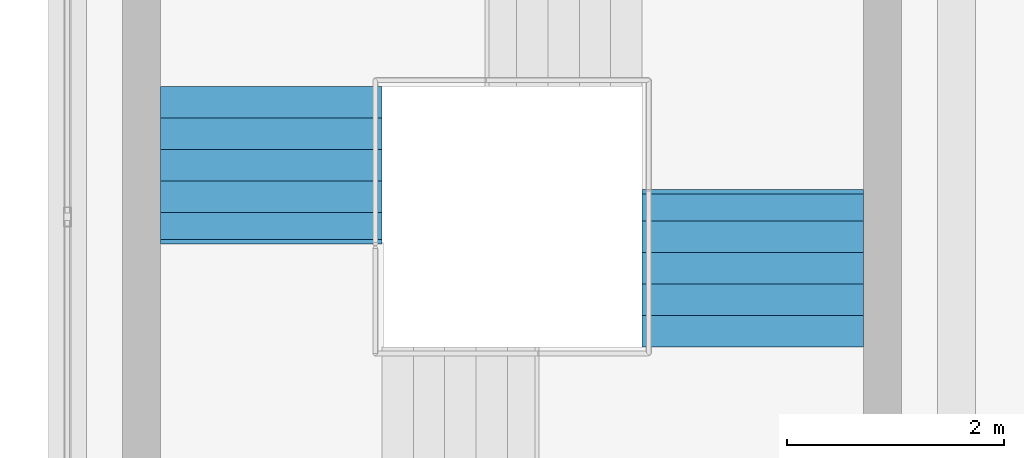
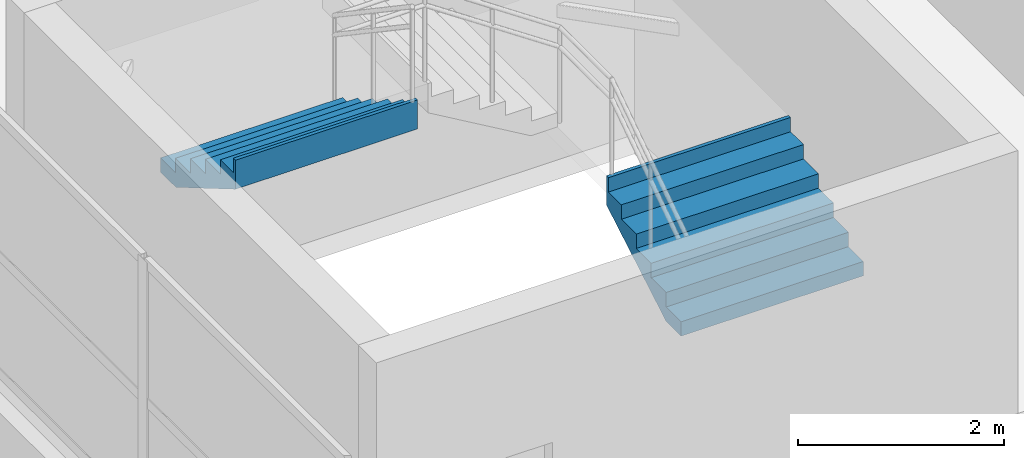
# One storey, part 66 of 70: 2 stair flights, 1 element without a shape of its own.
"""IFC4 building model written with IfcOpenShell, lengths in metres."""

from ifc_helpers import new_model, si_unit, direction, frame, origin, place, context, subcontext, project, spatial, triangles, material, type_object, element, aggregate, save


model = new_model("IFC4")

# Units and contexts
model_context = context("Model", 3, precision=1e-05, world=origin(), true_north=direction((0.0, 1.0)))
body_context = subcontext(model_context, "Body", "Model", "MODEL_VIEW")
ifc_project = project(units=[si_unit("LENGTHUNIT", "METRE"), si_unit("AREAUNIT", "SQUARE_METRE"), si_unit("VOLUMEUNIT", "CUBIC_METRE"), si_unit("PLANEANGLEUNIT", "RADIAN"), si_unit("MASSUNIT", "GRAM", prefix="KILO")], contexts=[model_context])

# Site, building, storey
site_placement = place(None, origin())
site = spatial("IfcSite", under=ifc_project, at=site_placement, CompositionType="ELEMENT")
building_placement = place(site_placement, origin())
building = spatial("IfcBuilding", under=site, at=building_placement, Name="Sillaruma Civic Art Gallery", CompositionType="ELEMENT")
storey_placement = place(building_placement, frame((0.0, 0.0, 66.300048828125)))
storey = spatial("IfcBuildingStorey", under=building, at=storey_placement, Name="L13", CompositionType="ELEMENT", Elevation=66.300048828125)

# Stair, stair flights
ifc_material = material(Name="Concrete H35 (35 MPa)", Category="concrete")
stair_type = type_object("IfcStairType", Name="STR-4F-24", PredefinedType="USERDEFINED", material=ifc_material)
stair_placement = place(storey_placement, origin())
stair = element("IfcStair", 1, at=stair_placement, inside=storey, type_object=stair_type, Name="Protected Exit Stair ST-04 (East Bar) (L13)", ObjectType="THREE_RETURN_STAIR", PredefinedType="USERDEFINED")
stair_flight_type = type_object("IfcStairFlightType", Name="SFL-STR-6", PredefinedType="STRAIGHT", material=ifc_material)
stair_flight_1_placement = place(storey_placement, frame((104.320068359375, 53.25, 1.02001953125), z_axis=(0.0, 0.0, 1.0), x_axis=(0.0, 1.0, 0.0)))
stair_flight_1 = element("IfcStairFlight", 2, at=stair_flight_1_placement, type_object=stair_flight_type, Name="ST-04 flight 2", NumberOfRisers=6, NumberOfTreads=5, PredefinedType="STRAIGHT", RiserHeight=0.17, TreadLength=0.29, context=body_context, shape_type="Tessellation", body=[
    triangles([(0.0, -1.02001953125, 0.0), (0.29, -1.02001953125, 0.0), (0.296365, -1.02001953125, 0.0), (0.58, -1.02001953125, 0.166269), (0.87, -1.02001953125, 0.336269), (1.16, -1.02001953125, 0.506269), (1.409951, -1.02001953125, 0.652792), (1.449951, -1.02001953125, 0.67624), (1.449951, -1.02001953125, 1.02), (1.409951, -1.02001953125, 1.02), (1.409951, -1.02001953125, 0.85), (1.16, -1.02001953125, 0.85), (1.16, -1.02001953125, 0.68), (0.87, -1.02001953125, 0.68), (0.87, -1.02001953125, 0.51), (0.58, -1.02001953125, 0.51), (0.58, -1.02001953125, 0.34), (0.296365, -1.02001953125, 0.34), (0.29, -1.02001953125, 0.34), (0.29, -1.02001953125, 0.17), (0.0, -1.02001953125, 0.17), (0.0, -0.05, 0.0), (0.29, -0.05, 0.0), (0.296365, -0.05, 0.0), (0.58, -0.05, 0.166269), (0.87, -0.05, 0.336269), (1.16, -0.05, 0.506269), (1.409951, -0.05, 0.652792), (1.449951, -0.05, 0.67624), (1.449951, -0.05, 1.02), (1.409951, -0.05, 1.02), (1.409951, -0.05, 0.85), (1.16, -0.05, 0.85), (1.16, -0.05, 0.68), (0.87, -0.05, 0.68), (0.87, -0.05, 0.51), (0.58, -0.05, 0.51), (0.58, -0.05, 0.34), (0.296365, -0.05, 0.34), (0.29, -0.05, 0.34), (0.29, -0.05, 0.17), (0.0, -0.05, 0.17), (0.0, -0.0375, 0.0), (0.29, -0.0375, 0.0), (0.296365, -0.0375, 0.0), (0.58, -0.0375, 0.166269), (0.87, -0.0375, 0.336269), (1.16, -0.0375, 0.506269), (1.409951, -0.0375, 0.652792), (1.449951, -0.0375, 0.67624), (1.449951, -0.0375, 1.02), (1.409951, -0.0375, 1.02), (1.409951, -0.0375, 0.85), (1.16, -0.0375, 0.85), (1.16, -0.0375, 0.68), (0.87, -0.0375, 0.68), (0.87, -0.0375, 0.51), (0.58, -0.0375, 0.51), (0.58, -0.0375, 0.34), (0.296365, -0.0375, 0.34), (0.29, -0.0375, 0.34), (0.29, -0.0375, 0.17), (0.0, -0.0375, 0.17), (0.0, -0.025, 0.0), (0.29, -0.025, 0.0), (0.296365, -0.025, 0.0), (0.58, -0.025, 0.166269), (0.87, -0.025, 0.336269), (1.16, -0.025, 0.506269), (1.409951, -0.025, 0.652792), (1.449951, -0.025, 0.67624), (1.449951, -0.025, 1.02), (1.409951, -0.025, 1.02), (1.409951, -0.025, 0.85), (1.16, -0.025, 0.85), (1.16, -0.025, 0.68), (0.87, -0.025, 0.68), (0.87, -0.025, 0.51), (0.58, -0.025, 0.51), (0.58, -0.025, 0.34), (0.296365, -0.025, 0.34), (0.29, -0.025, 0.34), (0.29, -0.025, 0.17), (0.0, -0.025, 0.17), (0.0, -0.0125, 0.0), (0.29, -0.0125, 0.0), (0.296365, -0.0125, 0.0), (0.58, -0.0125, 0.166269), (0.87, -0.0125, 0.336269), (1.16, -0.0125, 0.506269), (1.409951, -0.0125, 0.652792), (1.449951, -0.0125, 0.67624), (1.449951, -0.0125, 1.02), (1.409951, -0.0125, 1.02), (1.409951, -0.0125, 0.85), (1.16, -0.0125, 0.85), (1.16, -0.0125, 0.68), (0.87, -0.0125, 0.68), (0.87, -0.0125, 0.51), (0.58, -0.0125, 0.51), (0.58, -0.0125, 0.34), (0.296365, -0.0125, 0.34), (0.29, -0.0125, 0.34), (0.29, -0.0125, 0.17), (0.0, -0.0125, 0.17), (0.0, 0.0, 0.0), (0.29, 0.0, 0.0), (0.296365, 0.0, 0.0), (0.58, 0.0, 0.166269), (0.87, 0.0, 0.336269), (1.16, 0.0, 0.506269), (1.409951, 0.0, 0.652792), (1.449951, 0.0, 0.67624), (1.449951, 0.0, 1.02), (1.409951, 0.0, 1.02), (1.409951, 0.0, 0.85), (1.16, 0.0, 0.85), (1.16, 0.0, 0.68), (0.87, 0.0, 0.68), (0.87, 0.0, 0.51), (0.58, 0.0, 0.51), (0.58, 0.0, 0.34), (0.296365, 0.0, 0.34), (0.29, 0.0, 0.34), (0.29, 0.0, 0.17), (0.0, 0.0, 0.17), (0.0, 0.0125, 0.0), (0.29, 0.0125, 0.0), (0.296365, 0.0125, 0.0), (0.58, 0.0125, 0.166269), (0.87, 0.0125, 0.336269), (1.16, 0.0125, 0.506269), (1.409951, 0.0125, 0.652792), (1.449951, 0.0125, 0.67624), (1.449951, 0.0125, 1.02), (1.409951, 0.0125, 1.02), (1.409951, 0.0125, 0.85), (1.16, 0.0125, 0.85), (1.16, 0.0125, 0.68), (0.87, 0.0125, 0.68), (0.87, 0.0125, 0.51), (0.58, 0.0125, 0.51), (0.58, 0.0125, 0.34), (0.296365, 0.0125, 0.34), (0.29, 0.0125, 0.34), (0.29, 0.0125, 0.17), (0.0, 0.0125, 0.17), (0.0, 0.025, 0.0), (0.29, 0.025, 0.0), (0.296365, 0.025, 0.0), (0.58, 0.025, 0.166269), (0.87, 0.025, 0.336269), (1.16, 0.025, 0.506269), (1.409951, 0.025, 0.652792), (1.449951, 0.025, 0.67624), (1.449951, 0.025, 1.02), (1.409951, 0.025, 1.02), (1.409951, 0.025, 0.85), (1.16, 0.025, 0.85), (1.16, 0.025, 0.68), (0.87, 0.025, 0.68), (0.87, 0.025, 0.51), (0.58, 0.025, 0.51), (0.58, 0.025, 0.34), (0.296365, 0.025, 0.34), (0.29, 0.025, 0.34), (0.29, 0.025, 0.17), (0.0, 0.025, 0.17), (0.0, 0.0375, 0.0), (0.29, 0.0375, 0.0), (0.296365, 0.0375, 0.0), (0.58, 0.0375, 0.166269), (0.87, 0.0375, 0.336269), (1.16, 0.0375, 0.506269), (1.409951, 0.0375, 0.652792), (1.449951, 0.0375, 0.67624), (1.449951, 0.0375, 1.02), (1.409951, 0.0375, 1.02), (1.409951, 0.0375, 0.85), (1.16, 0.0375, 0.85), (1.16, 0.0375, 0.68), (0.87, 0.0375, 0.68), (0.87, 0.0375, 0.51), (0.58, 0.0375, 0.51), (0.58, 0.0375, 0.34), (0.296365, 0.0375, 0.34), (0.29, 0.0375, 0.34), (0.29, 0.0375, 0.17), (0.0, 0.0375, 0.17), (0.0, 0.05, 0.0), (0.29, 0.05, 0.0), (0.296365, 0.05, 0.0), (0.58, 0.05, 0.166269), (0.87, 0.05, 0.336269), (1.16, 0.05, 0.506269), (1.409951, 0.05, 0.652792), (1.449951, 0.05, 0.67624), (1.449951, 0.05, 1.02), (1.409951, 0.05, 1.02), (1.409951, 0.05, 0.85), (1.16, 0.05, 0.85), (1.16, 0.05, 0.68), (0.87, 0.05, 0.68), (0.87, 0.05, 0.51), (0.58, 0.05, 0.51), (0.58, 0.05, 0.34), (0.296365, 0.05, 0.34), (0.29, 0.05, 0.34), (0.29, 0.05, 0.17), (0.0, 0.05, 0.17), (0.0, 1.02001953125, 0.0), (0.29, 1.02001953125, 0.0), (0.296365, 1.02001953125, 0.0), (0.58, 1.02001953125, 0.166269), (0.87, 1.02001953125, 0.336269), (1.16, 1.02001953125, 0.506269), (1.409951, 1.02001953125, 0.652792), (1.449951, 1.02001953125, 0.67624), (1.449951, 1.02001953125, 1.02), (1.409951, 1.02001953125, 1.02), (1.409951, 1.02001953125, 0.85), (1.16, 1.02001953125, 0.85), (1.16, 1.02001953125, 0.68), (0.87, 1.02001953125, 0.68), (0.87, 1.02001953125, 0.51), (0.58, 1.02001953125, 0.51), (0.58, 1.02001953125, 0.34), (0.296365, 1.02001953125, 0.34), (0.29, 1.02001953125, 0.34), (0.29, 1.02001953125, 0.17), (0.0, 1.02001953125, 0.17)], [[1, 2, 20], [1, 20, 21], [2, 3, 18], [2, 18, 20], [20, 18, 19], [3, 4, 17], [3, 17, 18], [4, 5, 15], [4, 15, 17], [17, 15, 16], [5, 6, 13], [5, 13, 15], [15, 13, 14], [6, 7, 11], [6, 11, 13], [13, 11, 12], [7, 8, 9], [7, 9, 11], [11, 9, 10], [230, 212, 211], [231, 230, 211], [228, 213, 212], [230, 228, 212], [229, 228, 230], [227, 214, 213], [228, 227, 213], [225, 215, 214], [227, 225, 214], [226, 225, 227], [223, 216, 215], [225, 223, 215], [224, 223, 225], [221, 217, 216], [223, 221, 216], [222, 221, 223], [219, 218, 217], [221, 219, 217], [220, 219, 221], [2, 1, 22], [2, 22, 23], [3, 2, 23], [3, 23, 24], [4, 3, 24], [4, 24, 25], [5, 4, 25], [5, 25, 26], [6, 5, 26], [6, 26, 27], [7, 6, 27], [7, 27, 28], [8, 7, 28], [8, 28, 29], [9, 8, 29], [9, 29, 30], [10, 9, 30], [10, 30, 31], [11, 10, 31], [11, 31, 32], [12, 11, 32], [12, 32, 33], [13, 12, 33], [13, 33, 34], [14, 13, 34], [14, 34, 35], [15, 14, 35], [15, 35, 36], [16, 15, 36], [16, 36, 37], [17, 16, 37], [17, 37, 38], [18, 17, 38], [18, 38, 39], [19, 18, 39], [19, 39, 40], [20, 19, 40], [20, 40, 41], [21, 20, 41], [21, 41, 42], [1, 21, 42], [1, 42, 22], [23, 22, 43], [23, 43, 44], [24, 23, 44], [24, 44, 45], [25, 24, 45], [25, 45, 46], [26, 25, 46], [26, 46, 47], [27, 26, 47], [27, 47, 48], [28, 27, 48], [28, 48, 49], [29, 28, 49], [29, 49, 50], [30, 29, 50], [30, 50, 51], [31, 30, 51], [31, 51, 52], [32, 31, 52], [32, 52, 53], [33, 32, 53], [33, 53, 54], [34, 33, 54], [34, 54, 55], [35, 34, 55], [35, 55, 56], [36, 35, 56], [36, 56, 57], [37, 36, 57], [37, 57, 58], [38, 37, 58], [38, 58, 59], [39, 38, 59], [39, 59, 60], [40, 39, 60], [40, 60, 61], [41, 40, 61], [41, 61, 62], [42, 41, 62], [42, 62, 63], [22, 42, 63], [22, 63, 43], [44, 43, 64], [44, 64, 65], [45, 44, 65], [45, 65, 66], [46, 45, 66], [46, 66, 67], [47, 46, 67], [47, 67, 68], [48, 47, 68], [48, 68, 69], [49, 48, 69], [49, 69, 70], [50, 49, 70], [50, 70, 71], [51, 50, 71], [51, 71, 72], [52, 51, 72], [52, 72, 73], [53, 52, 73], [53, 73, 74], [54, 53, 74], [54, 74, 75], [55, 54, 75], [55, 75, 76], [56, 55, 76], [56, 76, 77], [57, 56, 77], [57, 77, 78], [58, 57, 78], [58, 78, 79], [59, 58, 79], [59, 79, 80], [60, 59, 80], [60, 80, 81], [61, 60, 81], [61, 81, 82], [62, 61, 82], [62, 82, 83], [63, 62, 83], [63, 83, 84], [43, 63, 84], [43, 84, 64], [65, 64, 85], [65, 85, 86], [66, 65, 86], [66, 86, 87], [67, 66, 87], [67, 87, 88], [68, 67, 88], [68, 88, 89], [69, 68, 89], [69, 89, 90], [70, 69, 90], [70, 90, 91], [71, 70, 91], [71, 91, 92], [72, 71, 92], [72, 92, 93], [73, 72, 93], [73, 93, 94], [74, 73, 94], [74, 94, 95], [75, 74, 95], [75, 95, 96], [76, 75, 96], [76, 96, 97], [77, 76, 97], [77, 97, 98], [78, 77, 98], [78, 98, 99], [79, 78, 99], [79, 99, 100], [80, 79, 100], [80, 100, 101], [81, 80, 101], [81, 101, 102], [82, 81, 102], [82, 102, 103], [83, 82, 103], [83, 103, 104], [84, 83, 104], [84, 104, 105], [64, 84, 105], [64, 105, 85], [86, 85, 106], [86, 106, 107], [87, 86, 107], [87, 107, 108], [88, 87, 108], [88, 108, 109], [89, 88, 109], [89, 109, 110], [90, 89, 110], [90, 110, 111], [91, 90, 111], [91, 111, 112], [92, 91, 112], [92, 112, 113], [93, 92, 113], [93, 113, 114], [94, 93, 114], [94, 114, 115], [95, 94, 115], [95, 115, 116], [96, 95, 116], [96, 116, 117], [97, 96, 117], [97, 117, 118], [98, 97, 118], [98, 118, 119], [99, 98, 119], [99, 119, 120], [100, 99, 120], [100, 120, 121], [101, 100, 121], [101, 121, 122], [102, 101, 122], [102, 122, 123], [103, 102, 123], [103, 123, 124], [104, 103, 124], [104, 124, 125], [105, 104, 125], [105, 125, 126], [85, 105, 126], [85, 126, 106], [107, 106, 127], [107, 127, 128], [108, 107, 128], [108, 128, 129], [109, 108, 129], [109, 129, 130], [110, 109, 130], [110, 130, 131], [111, 110, 131], [111, 131, 132], [112, 111, 132], [112, 132, 133], [113, 112, 133], [113, 133, 134], [114, 113, 134], [114, 134, 135], [115, 114, 135], [115, 135, 136], [116, 115, 136], [116, 136, 137], [117, 116, 137], [117, 137, 138], [118, 117, 138], [118, 138, 139], [119, 118, 139], [119, 139, 140], [120, 119, 140], [120, 140, 141], [121, 120, 141], [121, 141, 142], [122, 121, 142], [122, 142, 143], [123, 122, 143], [123, 143, 144], [124, 123, 144], [124, 144, 145], [125, 124, 145], [125, 145, 146], [126, 125, 146], [126, 146, 147], [106, 126, 147], [106, 147, 127], [128, 127, 148], [128, 148, 149], [129, 128, 149], [129, 149, 150], [130, 129, 150], [130, 150, 151], [131, 130, 151], [131, 151, 152], [132, 131, 152], [132, 152, 153], [133, 132, 153], [133, 153, 154], [134, 133, 154], [134, 154, 155], [135, 134, 155], [135, 155, 156], [136, 135, 156], [136, 156, 157], [137, 136, 157], [137, 157, 158], [138, 137, 158], [138, 158, 159], [139, 138, 159], [139, 159, 160], [140, 139, 160], [140, 160, 161], [141, 140, 161], [141, 161, 162], [142, 141, 162], [142, 162, 163], [143, 142, 163], [143, 163, 164], [144, 143, 164], [144, 164, 165], [145, 144, 165], [145, 165, 166], [146, 145, 166], [146, 166, 167], [147, 146, 167], [147, 167, 168], [127, 147, 168], [127, 168, 148], [149, 148, 169], [149, 169, 170], [150, 149, 170], [150, 170, 171], [151, 150, 171], [151, 171, 172], [152, 151, 172], [152, 172, 173], [153, 152, 173], [153, 173, 174], [154, 153, 174], [154, 174, 175], [155, 154, 175], [155, 175, 176], [156, 155, 176], [156, 176, 177], [157, 156, 177], [157, 177, 178], [158, 157, 178], [158, 178, 179], [159, 158, 179], [159, 179, 180], [160, 159, 180], [160, 180, 181], [161, 160, 181], [161, 181, 182], [162, 161, 182], [162, 182, 183], [163, 162, 183], [163, 183, 184], [164, 163, 184], [164, 184, 185], [165, 164, 185], [165, 185, 186], [166, 165, 186], [166, 186, 187], [167, 166, 187], [167, 187, 188], [168, 167, 188], [168, 188, 189], [148, 168, 189], [148, 189, 169], [170, 169, 190], [170, 190, 191], [171, 170, 191], [171, 191, 192], [172, 171, 192], [172, 192, 193], [173, 172, 193], [173, 193, 194], [174, 173, 194], [174, 194, 195], [175, 174, 195], [175, 195, 196], [176, 175, 196], [176, 196, 197], [177, 176, 197], [177, 197, 198], [178, 177, 198], [178, 198, 199], [179, 178, 199], [179, 199, 200], [180, 179, 200], [180, 200, 201], [181, 180, 201], [181, 201, 202], [182, 181, 202], [182, 202, 203], [183, 182, 203], [183, 203, 204], [184, 183, 204], [184, 204, 205], [185, 184, 205], [185, 205, 206], [186, 185, 206], [186, 206, 207], [187, 186, 207], [187, 207, 208], [188, 187, 208], [188, 208, 209], [189, 188, 209], [189, 209, 210], [169, 189, 210], [169, 210, 190], [191, 190, 211], [191, 211, 212], [192, 191, 212], [192, 212, 213], [193, 192, 213], [193, 213, 214], [194, 193, 214], [194, 214, 215], [195, 194, 215], [195, 215, 216], [196, 195, 216], [196, 216, 217], [197, 196, 217], [197, 217, 218], [198, 197, 218], [198, 218, 219], [199, 198, 219], [199, 219, 220], [200, 199, 220], [200, 220, 221], [201, 200, 221], [201, 221, 222], [202, 201, 222], [202, 222, 223], [203, 202, 223], [203, 223, 224], [204, 203, 224], [204, 224, 225], [205, 204, 225], [205, 225, 226], [206, 205, 226], [206, 226, 227], [207, 206, 227], [207, 227, 228], [208, 207, 228], [208, 228, 229], [209, 208, 229], [209, 229, 230], [210, 209, 230], [210, 230, 231], [190, 210, 231], [190, 231, 211]], closed=True),
])
stair_flight_2_placement = place(storey_placement, frame((99.8798828125, 55.64990234375, 3.06005859375), z_axis=(0.0, 0.0, 1.0), x_axis=(0.0, -1.0, 0.0)))
stair_flight_2 = element("IfcStairFlight", 3, at=stair_flight_2_placement, type_object=stair_flight_type, Name="ST-04 flight 4", NumberOfRisers=6, NumberOfTreads=5, PredefinedType="STRAIGHT", RiserHeight=0.17, TreadLength=0.29, context=body_context, shape_type="Tessellation", body=[
    triangles([(0.0, -1.02001953125, 0.0), (0.29, -1.02001953125, 0.0), (0.296365, -1.02001953125, 0.0), (0.58, -1.02001953125, 0.166269), (0.87, -1.02001953125, 0.336269), (1.16, -1.02001953125, 0.506269), (1.409951, -1.02001953125, 0.652792), (1.449951, -1.02001953125, 0.67624), (1.449951, -1.02001953125, 1.02), (1.409951, -1.02001953125, 1.02), (1.409951, -1.02001953125, 0.85), (1.16, -1.02001953125, 0.85), (1.16, -1.02001953125, 0.68), (0.87, -1.02001953125, 0.68), (0.87, -1.02001953125, 0.51), (0.58, -1.02001953125, 0.51), (0.58, -1.02001953125, 0.34), (0.296365, -1.02001953125, 0.34), (0.29, -1.02001953125, 0.34), (0.29, -1.02001953125, 0.17), (0.0, -1.02001953125, 0.17), (0.0, -0.05, 0.0), (0.29, -0.05, 0.0), (0.296365, -0.05, 0.0), (0.58, -0.05, 0.166269), (0.87, -0.05, 0.336269), (1.16, -0.05, 0.506269), (1.409951, -0.05, 0.652792), (1.449951, -0.05, 0.67624), (1.449951, -0.05, 1.02), (1.409951, -0.05, 1.02), (1.409951, -0.05, 0.85), (1.16, -0.05, 0.85), (1.16, -0.05, 0.68), (0.87, -0.05, 0.68), (0.87, -0.05, 0.51), (0.58, -0.05, 0.51), (0.58, -0.05, 0.34), (0.296365, -0.05, 0.34), (0.29, -0.05, 0.34), (0.29, -0.05, 0.17), (0.0, -0.05, 0.17), (0.0, -0.0375, 0.0), (0.29, -0.0375, 0.0), (0.296365, -0.0375, 0.0), (0.58, -0.0375, 0.166269), (0.87, -0.0375, 0.336269), (1.16, -0.0375, 0.506269), (1.409951, -0.0375, 0.652792), (1.449951, -0.0375, 0.67624), (1.449951, -0.0375, 1.02), (1.409951, -0.0375, 1.02), (1.409951, -0.0375, 0.85), (1.16, -0.0375, 0.85), (1.16, -0.0375, 0.68), (0.87, -0.0375, 0.68), (0.87, -0.0375, 0.51), (0.58, -0.0375, 0.51), (0.58, -0.0375, 0.34), (0.296365, -0.0375, 0.34), (0.29, -0.0375, 0.34), (0.29, -0.0375, 0.17), (0.0, -0.0375, 0.17), (0.0, -0.025, 0.0), (0.29, -0.025, 0.0), (0.296365, -0.025, 0.0), (0.58, -0.025, 0.166269), (0.87, -0.025, 0.336269), (1.16, -0.025, 0.506269), (1.409951, -0.025, 0.652792), (1.449951, -0.025, 0.67624), (1.449951, -0.025, 1.02), (1.409951, -0.025, 1.02), (1.409951, -0.025, 0.85), (1.16, -0.025, 0.85), (1.16, -0.025, 0.68), (0.87, -0.025, 0.68), (0.87, -0.025, 0.51), (0.58, -0.025, 0.51), (0.58, -0.025, 0.34), (0.296365, -0.025, 0.34), (0.29, -0.025, 0.34), (0.29, -0.025, 0.17), (0.0, -0.025, 0.17), (0.0, -0.0125, 0.0), (0.29, -0.0125, 0.0), (0.296365, -0.0125, 0.0), (0.58, -0.0125, 0.166269), (0.87, -0.0125, 0.336269), (1.16, -0.0125, 0.506269), (1.409951, -0.0125, 0.652792), (1.449951, -0.0125, 0.67624), (1.449951, -0.0125, 1.02), (1.409951, -0.0125, 1.02), (1.409951, -0.0125, 0.85), (1.16, -0.0125, 0.85), (1.16, -0.0125, 0.68), (0.87, -0.0125, 0.68), (0.87, -0.0125, 0.51), (0.58, -0.0125, 0.51), (0.58, -0.0125, 0.34), (0.296365, -0.0125, 0.34), (0.29, -0.0125, 0.34), (0.29, -0.0125, 0.17), (0.0, -0.0125, 0.17), (0.0, 0.0, 0.0), (0.29, 0.0, 0.0), (0.296365, 0.0, 0.0), (0.58, 0.0, 0.166269), (0.87, 0.0, 0.336269), (1.16, 0.0, 0.506269), (1.409951, 0.0, 0.652792), (1.449951, 0.0, 0.67624), (1.449951, 0.0, 1.02), (1.409951, 0.0, 1.02), (1.409951, 0.0, 0.85), (1.16, 0.0, 0.85), (1.16, 0.0, 0.68), (0.87, 0.0, 0.68), (0.87, 0.0, 0.51), (0.58, 0.0, 0.51), (0.58, 0.0, 0.34), (0.296365, 0.0, 0.34), (0.29, 0.0, 0.34), (0.29, 0.0, 0.17), (0.0, 0.0, 0.17), (0.0, 0.0125, 0.0), (0.29, 0.0125, 0.0), (0.296365, 0.0125, 0.0), (0.58, 0.0125, 0.166269), (0.87, 0.0125, 0.336269), (1.16, 0.0125, 0.506269), (1.409951, 0.0125, 0.652792), (1.449951, 0.0125, 0.67624), (1.449951, 0.0125, 1.02), (1.409951, 0.0125, 1.02), (1.409951, 0.0125, 0.85), (1.16, 0.0125, 0.85), (1.16, 0.0125, 0.68), (0.87, 0.0125, 0.68), (0.87, 0.0125, 0.51), (0.58, 0.0125, 0.51), (0.58, 0.0125, 0.34), (0.296365, 0.0125, 0.34), (0.29, 0.0125, 0.34), (0.29, 0.0125, 0.17), (0.0, 0.0125, 0.17), (0.0, 0.025, 0.0), (0.29, 0.025, 0.0), (0.296365, 0.025, 0.0), (0.58, 0.025, 0.166269), (0.87, 0.025, 0.336269), (1.16, 0.025, 0.506269), (1.409951, 0.025, 0.652792), (1.449951, 0.025, 0.67624), (1.449951, 0.025, 1.02), (1.409951, 0.025, 1.02), (1.409951, 0.025, 0.85), (1.16, 0.025, 0.85), (1.16, 0.025, 0.68), (0.87, 0.025, 0.68), (0.87, 0.025, 0.51), (0.58, 0.025, 0.51), (0.58, 0.025, 0.34), (0.296365, 0.025, 0.34), (0.29, 0.025, 0.34), (0.29, 0.025, 0.17), (0.0, 0.025, 0.17), (0.0, 0.0375, 0.0), (0.29, 0.0375, 0.0), (0.296365, 0.0375, 0.0), (0.58, 0.0375, 0.166269), (0.87, 0.0375, 0.336269), (1.16, 0.0375, 0.506269), (1.409951, 0.0375, 0.652792), (1.449951, 0.0375, 0.67624), (1.449951, 0.0375, 1.02), (1.409951, 0.0375, 1.02), (1.409951, 0.0375, 0.85), (1.16, 0.0375, 0.85), (1.16, 0.0375, 0.68), (0.87, 0.0375, 0.68), (0.87, 0.0375, 0.51), (0.58, 0.0375, 0.51), (0.58, 0.0375, 0.34), (0.296365, 0.0375, 0.34), (0.29, 0.0375, 0.34), (0.29, 0.0375, 0.17), (0.0, 0.0375, 0.17), (0.0, 0.05, 0.0), (0.29, 0.05, 0.0), (0.296365, 0.05, 0.0), (0.58, 0.05, 0.166269), (0.87, 0.05, 0.336269), (1.16, 0.05, 0.506269), (1.409951, 0.05, 0.652792), (1.449951, 0.05, 0.67624), (1.449951, 0.05, 1.02), (1.409951, 0.05, 1.02), (1.409951, 0.05, 0.85), (1.16, 0.05, 0.85), (1.16, 0.05, 0.68), (0.87, 0.05, 0.68), (0.87, 0.05, 0.51), (0.58, 0.05, 0.51), (0.58, 0.05, 0.34), (0.296365, 0.05, 0.34), (0.29, 0.05, 0.34), (0.29, 0.05, 0.17), (0.0, 0.05, 0.17), (0.0, 1.02001953125, 0.0), (0.29, 1.02001953125, 0.0), (0.296365, 1.02001953125, 0.0), (0.58, 1.02001953125, 0.166269), (0.87, 1.02001953125, 0.336269), (1.16, 1.02001953125, 0.506269), (1.409951, 1.02001953125, 0.652792), (1.449951, 1.02001953125, 0.67624), (1.449951, 1.02001953125, 1.02), (1.409951, 1.02001953125, 1.02), (1.409951, 1.02001953125, 0.85), (1.16, 1.02001953125, 0.85), (1.16, 1.02001953125, 0.68), (0.87, 1.02001953125, 0.68), (0.87, 1.02001953125, 0.51), (0.58, 1.02001953125, 0.51), (0.58, 1.02001953125, 0.34), (0.296365, 1.02001953125, 0.34), (0.29, 1.02001953125, 0.34), (0.29, 1.02001953125, 0.17), (0.0, 1.02001953125, 0.17)], [[1, 2, 20], [1, 20, 21], [2, 3, 18], [2, 18, 20], [20, 18, 19], [3, 4, 17], [3, 17, 18], [4, 5, 15], [4, 15, 17], [17, 15, 16], [5, 6, 13], [5, 13, 15], [15, 13, 14], [6, 7, 11], [6, 11, 13], [13, 11, 12], [7, 8, 9], [7, 9, 11], [11, 9, 10], [230, 212, 211], [231, 230, 211], [228, 213, 212], [230, 228, 212], [229, 228, 230], [227, 214, 213], [228, 227, 213], [225, 215, 214], [227, 225, 214], [226, 225, 227], [223, 216, 215], [225, 223, 215], [224, 223, 225], [221, 217, 216], [223, 221, 216], [222, 221, 223], [219, 218, 217], [221, 219, 217], [220, 219, 221], [2, 1, 22], [2, 22, 23], [3, 2, 23], [3, 23, 24], [4, 3, 24], [4, 24, 25], [5, 4, 25], [5, 25, 26], [6, 5, 26], [6, 26, 27], [7, 6, 27], [7, 27, 28], [8, 7, 28], [8, 28, 29], [9, 8, 29], [9, 29, 30], [10, 9, 30], [10, 30, 31], [11, 10, 31], [11, 31, 32], [12, 11, 32], [12, 32, 33], [13, 12, 33], [13, 33, 34], [14, 13, 34], [14, 34, 35], [15, 14, 35], [15, 35, 36], [16, 15, 36], [16, 36, 37], [17, 16, 37], [17, 37, 38], [18, 17, 38], [18, 38, 39], [19, 18, 39], [19, 39, 40], [20, 19, 40], [20, 40, 41], [21, 20, 41], [21, 41, 42], [1, 21, 42], [1, 42, 22], [23, 22, 43], [23, 43, 44], [24, 23, 44], [24, 44, 45], [25, 24, 45], [25, 45, 46], [26, 25, 46], [26, 46, 47], [27, 26, 47], [27, 47, 48], [28, 27, 48], [28, 48, 49], [29, 28, 49], [29, 49, 50], [30, 29, 50], [30, 50, 51], [31, 30, 51], [31, 51, 52], [32, 31, 52], [32, 52, 53], [33, 32, 53], [33, 53, 54], [34, 33, 54], [34, 54, 55], [35, 34, 55], [35, 55, 56], [36, 35, 56], [36, 56, 57], [37, 36, 57], [37, 57, 58], [38, 37, 58], [38, 58, 59], [39, 38, 59], [39, 59, 60], [40, 39, 60], [40, 60, 61], [41, 40, 61], [41, 61, 62], [42, 41, 62], [42, 62, 63], [22, 42, 63], [22, 63, 43], [44, 43, 64], [44, 64, 65], [45, 44, 65], [45, 65, 66], [46, 45, 66], [46, 66, 67], [47, 46, 67], [47, 67, 68], [48, 47, 68], [48, 68, 69], [49, 48, 69], [49, 69, 70], [50, 49, 70], [50, 70, 71], [51, 50, 71], [51, 71, 72], [52, 51, 72], [52, 72, 73], [53, 52, 73], [53, 73, 74], [54, 53, 74], [54, 74, 75], [55, 54, 75], [55, 75, 76], [56, 55, 76], [56, 76, 77], [57, 56, 77], [57, 77, 78], [58, 57, 78], [58, 78, 79], [59, 58, 79], [59, 79, 80], [60, 59, 80], [60, 80, 81], [61, 60, 81], [61, 81, 82], [62, 61, 82], [62, 82, 83], [63, 62, 83], [63, 83, 84], [43, 63, 84], [43, 84, 64], [65, 64, 85], [65, 85, 86], [66, 65, 86], [66, 86, 87], [67, 66, 87], [67, 87, 88], [68, 67, 88], [68, 88, 89], [69, 68, 89], [69, 89, 90], [70, 69, 90], [70, 90, 91], [71, 70, 91], [71, 91, 92], [72, 71, 92], [72, 92, 93], [73, 72, 93], [73, 93, 94], [74, 73, 94], [74, 94, 95], [75, 74, 95], [75, 95, 96], [76, 75, 96], [76, 96, 97], [77, 76, 97], [77, 97, 98], [78, 77, 98], [78, 98, 99], [79, 78, 99], [79, 99, 100], [80, 79, 100], [80, 100, 101], [81, 80, 101], [81, 101, 102], [82, 81, 102], [82, 102, 103], [83, 82, 103], [83, 103, 104], [84, 83, 104], [84, 104, 105], [64, 84, 105], [64, 105, 85], [86, 85, 106], [86, 106, 107], [87, 86, 107], [87, 107, 108], [88, 87, 108], [88, 108, 109], [89, 88, 109], [89, 109, 110], [90, 89, 110], [90, 110, 111], [91, 90, 111], [91, 111, 112], [92, 91, 112], [92, 112, 113], [93, 92, 113], [93, 113, 114], [94, 93, 114], [94, 114, 115], [95, 94, 115], [95, 115, 116], [96, 95, 116], [96, 116, 117], [97, 96, 117], [97, 117, 118], [98, 97, 118], [98, 118, 119], [99, 98, 119], [99, 119, 120], [100, 99, 120], [100, 120, 121], [101, 100, 121], [101, 121, 122], [102, 101, 122], [102, 122, 123], [103, 102, 123], [103, 123, 124], [104, 103, 124], [104, 124, 125], [105, 104, 125], [105, 125, 126], [85, 105, 126], [85, 126, 106], [107, 106, 127], [107, 127, 128], [108, 107, 128], [108, 128, 129], [109, 108, 129], [109, 129, 130], [110, 109, 130], [110, 130, 131], [111, 110, 131], [111, 131, 132], [112, 111, 132], [112, 132, 133], [113, 112, 133], [113, 133, 134], [114, 113, 134], [114, 134, 135], [115, 114, 135], [115, 135, 136], [116, 115, 136], [116, 136, 137], [117, 116, 137], [117, 137, 138], [118, 117, 138], [118, 138, 139], [119, 118, 139], [119, 139, 140], [120, 119, 140], [120, 140, 141], [121, 120, 141], [121, 141, 142], [122, 121, 142], [122, 142, 143], [123, 122, 143], [123, 143, 144], [124, 123, 144], [124, 144, 145], [125, 124, 145], [125, 145, 146], [126, 125, 146], [126, 146, 147], [106, 126, 147], [106, 147, 127], [128, 127, 148], [128, 148, 149], [129, 128, 149], [129, 149, 150], [130, 129, 150], [130, 150, 151], [131, 130, 151], [131, 151, 152], [132, 131, 152], [132, 152, 153], [133, 132, 153], [133, 153, 154], [134, 133, 154], [134, 154, 155], [135, 134, 155], [135, 155, 156], [136, 135, 156], [136, 156, 157], [137, 136, 157], [137, 157, 158], [138, 137, 158], [138, 158, 159], [139, 138, 159], [139, 159, 160], [140, 139, 160], [140, 160, 161], [141, 140, 161], [141, 161, 162], [142, 141, 162], [142, 162, 163], [143, 142, 163], [143, 163, 164], [144, 143, 164], [144, 164, 165], [145, 144, 165], [145, 165, 166], [146, 145, 166], [146, 166, 167], [147, 146, 167], [147, 167, 168], [127, 147, 168], [127, 168, 148], [149, 148, 169], [149, 169, 170], [150, 149, 170], [150, 170, 171], [151, 150, 171], [151, 171, 172], [152, 151, 172], [152, 172, 173], [153, 152, 173], [153, 173, 174], [154, 153, 174], [154, 174, 175], [155, 154, 175], [155, 175, 176], [156, 155, 176], [156, 176, 177], [157, 156, 177], [157, 177, 178], [158, 157, 178], [158, 178, 179], [159, 158, 179], [159, 179, 180], [160, 159, 180], [160, 180, 181], [161, 160, 181], [161, 181, 182], [162, 161, 182], [162, 182, 183], [163, 162, 183], [163, 183, 184], [164, 163, 184], [164, 184, 185], [165, 164, 185], [165, 185, 186], [166, 165, 186], [166, 186, 187], [167, 166, 187], [167, 187, 188], [168, 167, 188], [168, 188, 189], [148, 168, 189], [148, 189, 169], [170, 169, 190], [170, 190, 191], [171, 170, 191], [171, 191, 192], [172, 171, 192], [172, 192, 193], [173, 172, 193], [173, 193, 194], [174, 173, 194], [174, 194, 195], [175, 174, 195], [175, 195, 196], [176, 175, 196], [176, 196, 197], [177, 176, 197], [177, 197, 198], [178, 177, 198], [178, 198, 199], [179, 178, 199], [179, 199, 200], [180, 179, 200], [180, 200, 201], [181, 180, 201], [181, 201, 202], [182, 181, 202], [182, 202, 203], [183, 182, 203], [183, 203, 204], [184, 183, 204], [184, 204, 205], [185, 184, 205], [185, 205, 206], [186, 185, 206], [186, 206, 207], [187, 186, 207], [187, 207, 208], [188, 187, 208], [188, 208, 209], [189, 188, 209], [189, 209, 210], [169, 189, 210], [169, 210, 190], [191, 190, 211], [191, 211, 212], [192, 191, 212], [192, 212, 213], [193, 192, 213], [193, 213, 214], [194, 193, 214], [194, 214, 215], [195, 194, 215], [195, 215, 216], [196, 195, 216], [196, 216, 217], [197, 196, 217], [197, 217, 218], [198, 197, 218], [198, 218, 219], [199, 198, 219], [199, 219, 220], [200, 199, 220], [200, 220, 221], [201, 200, 221], [201, 221, 222], [202, 201, 222], [202, 222, 223], [203, 202, 223], [203, 223, 224], [204, 203, 224], [204, 224, 225], [205, 204, 225], [205, 225, 226], [206, 205, 226], [206, 226, 227], [207, 206, 227], [207, 227, 228], [208, 207, 228], [208, 228, 229], [209, 208, 229], [209, 229, 230], [210, 209, 230], [210, 230, 231], [190, 210, 231], [190, 231, 211]], closed=True),
])
aggregate(stair, [stair_flight_1, stair_flight_2])

save(model, "model.ifc")
